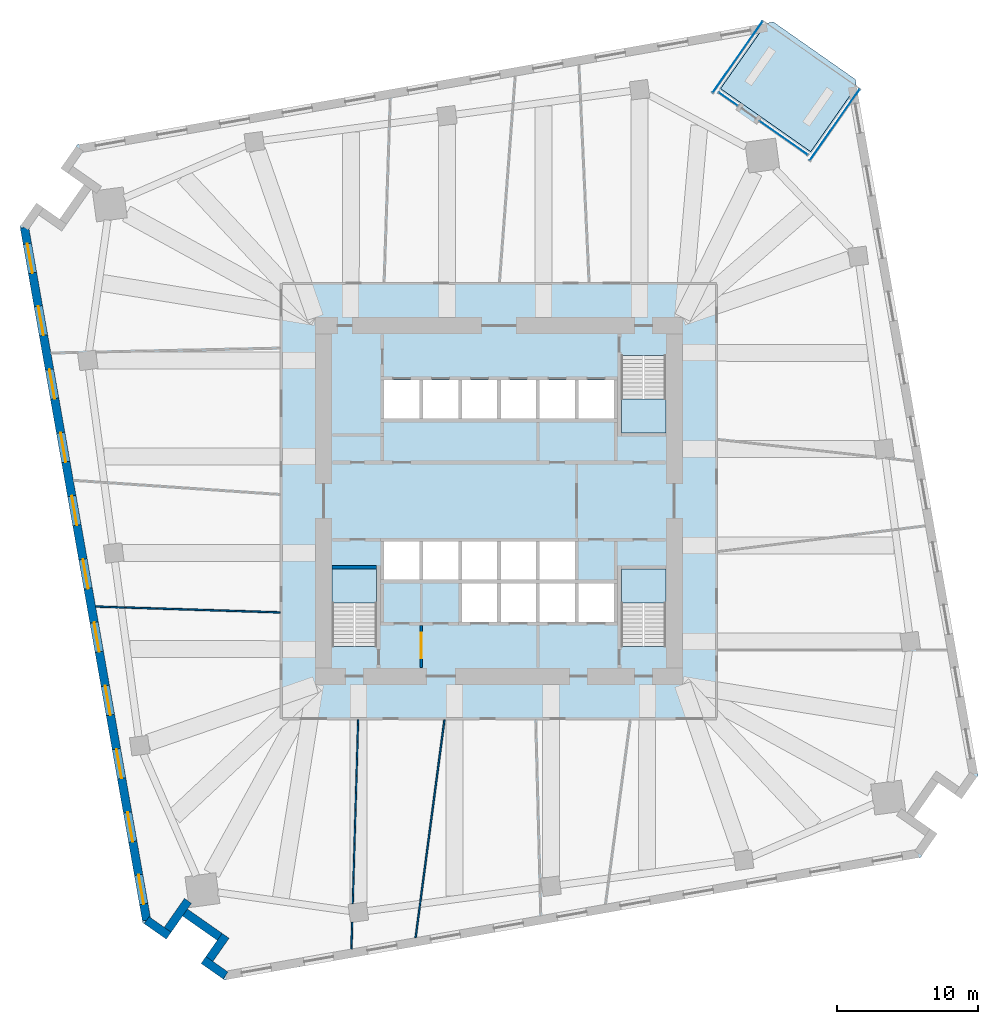
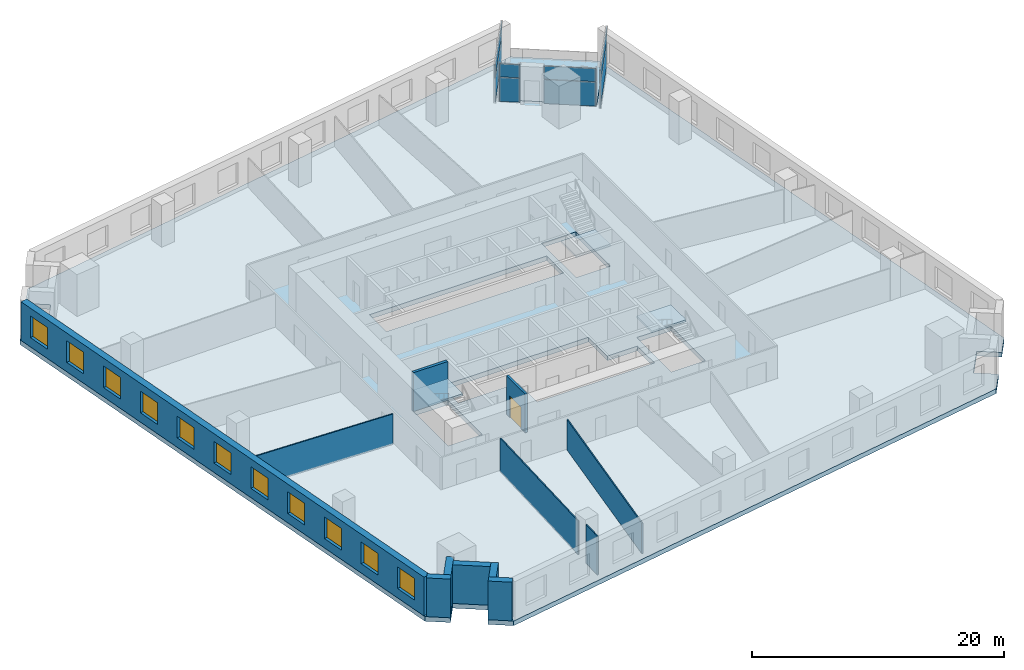
# One storey, part 3 of 10: 12 walls, 11 windows, 8 plates, 5 slabs, 1 door, 12 openings, 7 elements without a shape of their own.
"""IFC4 building model written with IfcOpenShell, lengths in metres."""

from ifc_helpers import new_model, si_unit, direction, frame, frame_2d, origin, origin_2d, place, context, subcontext, project, spatial, polyline, rectangle, outline, extrude, material, layer, layer_set, type_object, element, fill, aggregate, save


model = new_model("IFC4")

# Units and contexts
model_context = context("Model", 3, precision=1e-05, world=origin(), true_north=direction((0.0, 1.0)))
body_context = subcontext(model_context, "Body", "Model", "MODEL_VIEW")
ifc_project = project(units=[si_unit("LENGTHUNIT", "METRE"), si_unit("AREAUNIT", "SQUARE_METRE"), si_unit("VOLUMEUNIT", "CUBIC_METRE"), si_unit("PLANEANGLEUNIT", "RADIAN"), si_unit("MASSUNIT", "GRAM", prefix="KILO")], contexts=[model_context])

# Site, building, storey
site_placement = place(None, origin())
site = spatial("IfcSite", under=ifc_project, at=site_placement, CompositionType="ELEMENT")
building_placement = place(site_placement, origin())
building = spatial("IfcBuilding", under=site, at=building_placement, Name="Dilmun Exchange Tower", CompositionType="ELEMENT")
storey_placement = place(building_placement, frame((0.0, 0.0, 59.699951171875)))
storey = spatial("IfcBuildingStorey", under=building, at=storey_placement, Name="L13", CompositionType="ELEMENT", Elevation=59.699951171875)

# Stair, slab
ifc_material_1 = material(Name="Concrete C40/50", Category="concrete")
stair_type = type_object("IfcStairType", Name="Exit stair 1500 half-turn", PredefinedType="HALF_TURN_STAIR", material=ifc_material_1)
stair_1_placement = place(storey_placement, origin())
stair_1 = element("IfcStair", 1, at=stair_1_placement, inside=storey, type_object=stair_type, Name="L13 Protected exit stair ST1", PredefinedType="HALF_TURN_STAIR")
ifc_layer_1 = layer(ifc_material_1, 0.199951171875)
ifc_layer_set_1 = layer_set([ifc_layer_1], Name="Concrete C40/50")
slab_type_1 = type_object("IfcSlabType", Name="Exit stair landing 200", PredefinedType="LANDING", material=ifc_layer_set_1)
slab_1_placement = place(storey_placement, frame((0.0, 0.0, 1.900146484375)))
slab_1 = element("IfcSlab", 2, at=slab_1_placement, type_object=slab_type_1, Name="ST1 landing 1", PredefinedType="LANDING", context=body_context, shape_type="SweptSolid", body=[
    extrude(outline(polyline([(8.64990234375, 7.219970703125), (8.64990234375, 4.800048828125), (11.800048828125, 4.800048828125), (11.800048828125, 7.219970703125), (8.64990234375, 7.219970703125)])), origin(), (0.0, 0.0, 1.0), 0.199951171875),
])
aggregate(stair_1, [slab_1])

stair_2_placement = place(storey_placement, origin())
stair_2 = element("IfcStair", 3, at=stair_2_placement, inside=storey, type_object=stair_type, Name="L13 Protected exit stair ST2", PredefinedType="HALF_TURN_STAIR")
slab_2_placement = place(storey_placement, frame((0.0, 0.0, 1.900146484375)))
slab_2 = element("IfcSlab", 4, at=slab_2_placement, type_object=slab_type_1, Name="ST2 landing 1", PredefinedType="LANDING", context=body_context, shape_type="SweptSolid", body=[
    extrude(outline(polyline([(-8.64990234375, -7.219970703125), (-8.64990234375, -4.800048828125), (-11.800048828125, -4.800048828125), (-11.800048828125, -7.219970703125), (-8.64990234375, -7.219970703125)])), origin(), (0.0, 0.0, 1.0), 0.199951171875),
])
aggregate(stair_2, [slab_2])

stair_3_placement = place(storey_placement, origin())
stair_3 = element("IfcStair", 5, at=stair_3_placement, inside=storey, type_object=stair_type, Name="L13 Protected exit stair ST3", PredefinedType="HALF_TURN_STAIR")
slab_3_placement = place(storey_placement, frame((0.0, 0.0, 1.900146484375)))
slab_3 = element("IfcSlab", 6, at=slab_3_placement, type_object=slab_type_1, Name="ST3 landing 1", PredefinedType="LANDING", context=body_context, shape_type="SweptSolid", body=[
    extrude(outline(polyline([(11.800048828125, -7.219970703125), (11.800048828125, -4.800048828125), (8.64990234375, -4.800048828125), (8.64990234375, -7.219970703125), (11.800048828125, -7.219970703125)])), origin(), (0.0, 0.0, 1.0), 0.199951171875),
])
aggregate(stair_3, [slab_3])

# Curtain wall, plates
ifc_material_2 = material(Name="Anodised aluminium and clear glass", Category="aluminium")
curtain_wall_type = type_object("IfcCurtainWallType", Name="Garden corner glazing", PredefinedType="NOTDEFINED", material=ifc_material_2)
curtain_wall_1_placement = place(storey_placement, origin())
curtain_wall_1 = element("IfcCurtainWall", 7, at=curtain_wall_1_placement, inside=storey, type_object=curtain_wall_type, Name="Garden corner glazing run GC1.1", PredefinedType="NOTDEFINED")
ifc_material_3 = material(Name="Clear glass", Category="glass")
ifc_layer_2 = layer(ifc_material_3, 0.028076171875)
ifc_layer_set_2 = layer_set([ifc_layer_2], Name="Clear glass")
plate_type = type_object("IfcPlateType", Name="Garden corner glazing glass panel 28", PredefinedType="CURTAIN_PANEL", material=ifc_layer_set_2)
plate_1_placement = place(storey_placement, frame((23.744140625, 26.606689453125, 0.06005859375), z_axis=(0.0, 0.0, 1.0), x_axis=(-0.573574080405, -0.819153693935, 0.0)))
plate_1 = element("IfcPlate", 8, at=plate_1_placement, type_object=plate_type, Name="GC1.1 panel 1.1", PredefinedType="CURTAIN_PANEL", context=body_context, shape_type="SweptSolid", body=[
    extrude(rectangle(XDim=6.12646484375, YDim=0.028076171875, at=origin_2d()), origin(), (0.0, 0.0, 1.0), 2.31005859375),
])
plate_2_placement = place(storey_placement, frame((23.744140625, 26.606689453125, 2.43017578125), z_axis=(0.0, 0.0, 1.0), x_axis=(-0.573574080405, -0.819153693935, 0.0)))
plate_2 = element("IfcPlate", 9, at=plate_2_placement, type_object=plate_type, Name="GC1.1 panel 1.2", PredefinedType="CURTAIN_PANEL", context=body_context, shape_type="SweptSolid", body=[
    extrude(rectangle(XDim=6.12646484375, YDim=0.028076171875, at=origin_2d()), origin(), (0.0, 0.0, 1.0), 1.260009765625),
])
aggregate(curtain_wall_1, [plate_1, plate_2])

curtain_wall_2_placement = place(storey_placement, origin())
curtain_wall_2 = element("IfcCurtainWall", 10, at=curtain_wall_2_placement, inside=storey, type_object=curtain_wall_type, Name="Garden corner glazing run GC2.1", PredefinedType="NOTDEFINED")
plate_3_placement = place(storey_placement, frame((20.142822265625, 25.681884765625, 0.06005859375), z_axis=(0.0, 0.0, 1.0), x_axis=(-0.819152116967, 0.573576332556, 0.0)))
plate_3 = element("IfcPlate", 11, at=plate_3_placement, type_object=plate_type, Name="GC2.1 panel 1.1", PredefinedType="CURTAIN_PANEL", context=body_context, shape_type="SweptSolid", body=[
    extrude(rectangle(XDim=4.118896484375, YDim=0.028076171875, at=origin_2d()), origin(), (0.0, 0.0, 1.0), 2.31005859375),
])
plate_4_placement = place(storey_placement, frame((20.142822265625, 25.681884765625, 2.43017578125), z_axis=(0.0, 0.0, 1.0), x_axis=(-0.819152116967, 0.573576332556, 0.0)))
plate_4 = element("IfcPlate", 12, at=plate_4_placement, type_object=plate_type, Name="GC2.1 panel 1.2", PredefinedType="CURTAIN_PANEL", context=body_context, shape_type="SweptSolid", body=[
    extrude(rectangle(XDim=4.118896484375, YDim=0.028076171875, at=origin_2d()), origin(), (0.0, 0.0, 1.0), 1.260009765625),
])
aggregate(curtain_wall_2, [plate_3, plate_4])

curtain_wall_3_placement = place(storey_placement, origin())
curtain_wall_3 = element("IfcCurtainWall", 13, at=curtain_wall_3_placement, inside=storey, type_object=curtain_wall_type, Name="Garden corner glazing run GC2.3", PredefinedType="NOTDEFINED")
plate_5_placement = place(storey_placement, frame((16.219970703125, 28.428955078125, 0.06005859375), z_axis=(0.0, 0.0, 1.0), x_axis=(-0.81915627477, 0.573570394551, 0.0)))
plate_5 = element("IfcPlate", 14, at=plate_5_placement, type_object=plate_type, Name="GC2.3 panel 1.1", PredefinedType="CURTAIN_PANEL", context=body_context, shape_type="SweptSolid", body=[
    extrude(rectangle(XDim=1.619140625, YDim=0.028076171875, at=origin_2d()), origin(), (0.0, 0.0, 1.0), 2.31005859375),
])
plate_6_placement = place(storey_placement, frame((16.219970703125, 28.428955078125, 2.43017578125), z_axis=(0.0, 0.0, 1.0), x_axis=(-0.81915627477, 0.573570394551, 0.0)))
plate_6 = element("IfcPlate", 15, at=plate_6_placement, type_object=plate_type, Name="GC2.3 panel 1.2", PredefinedType="CURTAIN_PANEL", context=body_context, shape_type="SweptSolid", body=[
    extrude(rectangle(XDim=1.619140625, YDim=0.028076171875, at=origin_2d()), origin(), (0.0, 0.0, 1.0), 1.260009765625),
])
aggregate(curtain_wall_3, [plate_5, plate_6])

curtain_wall_4_placement = place(storey_placement, origin())
curtain_wall_4 = element("IfcCurtainWall", 16, at=curtain_wall_4_placement, inside=storey, type_object=curtain_wall_type, Name="Garden corner glazing run GC3.1", PredefinedType="NOTDEFINED")
plate_7_placement = place(storey_placement, frame((16.881103515625, 31.412353515625, 0.06005859375), z_axis=(0.0, 0.0, 1.0), x_axis=(0.573574080405, 0.819153693935, 0.0)))
plate_7 = element("IfcPlate", 17, at=plate_7_placement, type_object=plate_type, Name="GC3.1 panel 1.1", PredefinedType="CURTAIN_PANEL", context=body_context, shape_type="SweptSolid", body=[
    extrude(rectangle(XDim=6.12646484375, YDim=0.028076171875, at=origin_2d()), origin(), (0.0, 0.0, 1.0), 2.31005859375),
])
plate_8_placement = place(storey_placement, frame((16.881103515625, 31.412353515625, 2.43017578125), z_axis=(0.0, 0.0, 1.0), x_axis=(0.573574080405, 0.819153693935, 0.0)))
plate_8 = element("IfcPlate", 18, at=plate_8_placement, type_object=plate_type, Name="GC3.1 panel 1.2", PredefinedType="CURTAIN_PANEL", context=body_context, shape_type="SweptSolid", body=[
    extrude(rectangle(XDim=6.12646484375, YDim=0.028076171875, at=origin_2d()), origin(), (0.0, 0.0, 1.0), 1.260009765625),
])
aggregate(curtain_wall_4, [plate_7, plate_8])

# Slabs
ifc_layer_3 = layer(ifc_material_1, 0.449951171875)
ifc_layer_set_3 = layer_set([ifc_layer_3], Name="Concrete C40/50")
slab_type_2 = type_object("IfcSlabType", Name="RC floor slab 450", PredefinedType="FLOOR", material=ifc_layer_set_3)
slab_4_placement = place(storey_placement, frame((0.0, 0.0, -0.449951171875)))
element("IfcSlab", 19, at=slab_4_placement, inside=storey, type_object=slab_type_2, Name="Floor slab", PredefinedType="FLOOR", context=body_context, shape_type="SweptSolid", body=[
    extrude(outline(polyline([(32.718017578125, -21.078125), (31.07958984375, -19.930908203125), (29.35888671875, -22.388427734375), (30.997314453125, -23.53564453125), (29.82958984375, -25.202880859375), (-19.41064453125, -33.885498046875), (-21.078125, -32.718017578125), (-19.930908203125, -31.07958984375), (-22.388427734375, -29.35888671875), (-23.53564453125, -30.997314453125), (-25.202880859375, -29.82958984375), (-33.885498046875, 19.41064453125), (-32.718017578125, 21.078125), (-31.07958984375, 19.930908203125), (-29.35888671875, 22.388427734375), (-30.997314453125, 23.53564453125), (-29.82958984375, 25.202880859375), (18.918212890625, 33.798583984375), (15.6796875, 29.17333984375), (22.05126953125, 24.7119140625), (25.289794921875, 29.337158203125), (33.885498046875, -19.41064453125), (32.718017578125, -21.078125)]), holes=[polyline([(-8.64990234375, -4.800048828125), (-11.800048828125, -4.800048828125), (-11.800048828125, -10.294921875), (-8.64990234375, -10.294921875), (-8.64990234375, -4.800048828125)]), polyline([(11.800048828125, -4.800048828125), (8.64990234375, -4.800048828125), (8.64990234375, -10.294921875), (11.800048828125, -10.294921875), (11.800048828125, -4.800048828125)]), polyline([(-8.125, -2.85009765625), (-8.125, -5.550048828125), (-2.625, -5.550048828125), (-2.625, -8.550048828125), (8.125, -8.550048828125), (8.125, -5.85009765625), (5.375, -5.85009765625), (5.375, -2.85009765625), (-8.125, -2.85009765625)]), polyline([(-8.125, 5.85009765625), (8.125, 5.85009765625), (8.125, 8.550048828125), (-8.125, 8.550048828125), (-8.125, 5.85009765625)]), polyline([(8.64990234375, 10.294921875), (8.64990234375, 4.800048828125), (11.800048828125, 4.800048828125), (11.800048828125, 10.294921875), (8.64990234375, 10.294921875)])]), origin(), (0.0, 0.0, 1.0), 0.449951171875),
])
ifc_layer_4 = layer(ifc_material_1, 0.300048828125)
ifc_layer_set_4 = layer_set([ifc_layer_4], Name="Concrete C40/50")
slab_type_3 = type_object("IfcSlabType", Name="RC garden terrace slab 300", PredefinedType="FLOOR", material=ifc_layer_set_4)
slab_5_placement = place(storey_placement, frame((0.0, 0.0, -0.300048828125)))
element("IfcSlab", 20, at=slab_5_placement, inside=storey, type_object=slab_type_3, Name="Garden terrace slab", PredefinedType="FLOOR", context=body_context, shape_type="SweptSolid", body=[
    extrude(outline(polyline([(15.6796875, 29.17333984375), (18.918212890625, 33.798583984375), (19.41064453125, 33.885498046875), (25.202880859375, 29.82958984375), (25.289794921875, 29.337158203125), (22.05126953125, 24.7119140625), (15.6796875, 29.17333984375)])), origin(), (0.0, 0.0, 1.0), 0.300048828125),
])

# Wall, opening, door
ifc_layer_5 = layer(ifc_material_1, 0.199951171875)
ifc_layer_set_5 = layer_set([ifc_layer_5], Name="Concrete C40/50")
wall_type_1 = type_object("IfcWallType", Name="Core partition wall 200", PredefinedType="PARTITIONING", material=ifc_layer_set_5)
wall_1_placement = place(storey_placement, frame((-5.5, -11.794921875, 0.0), z_axis=(0.0, 0.0, 1.0), x_axis=(0.0, 1.0, 0.0)))
wall_1 = element("IfcWall", 21, at=wall_1_placement, inside=storey, type_object=wall_type_1, Name="L13 core partition wall 01", PredefinedType="PARTITIONING", context=body_context, shape_type="SweptSolid", body=[
    extrude(rectangle(XDim=2.989990234375, YDim=0.199951171875, at=frame_2d((1.4951171875, 0.0))), origin(), (0.0, 0.0, 1.0), 3.75),
])
opening_1_placement = place(wall_1_placement, frame((0.657470703125, 0.0, 0.0)))
opening_1 = element("IfcOpeningElement", 22, at=opening_1_placement, cuts=wall_1, Name="Opening CD5", PredefinedType="OPENING", context=body_context, shape_type="SweptSolid", body=[
    extrude(rectangle(XDim=1.800048828125, YDim=2.10009765625, at=frame_2d((0.89990234375, 1.050048828125))), frame((0.0, 0.10986328125, 0.0), z_axis=(0.0, -1.0, 0.0), x_axis=(1.0, 0.0, 0.0)), (0.0, 0.0, 1.0), 0.219970703125),
])
ifc_material_4 = material(Name="Fire-rated steel door set", Category="steel")
door_type = type_object("IfcDoorType", Name="Stair exit door 1800x2100", OperationType="SINGLE_SWING_LEFT", PredefinedType="DOOR", material=ifc_material_4)
door_placement = place(opening_1_placement, origin())
door = element("IfcDoor", 23, at=door_placement, inside=storey, type_object=door_type, Name="L13 door Service lobby east", OperationType="SINGLE_SWING_LEFT", OverallHeight=2.10009765625, OverallWidth=1.800048828125, PredefinedType="DOOR", context=body_context, shape_type="SweptSolid", body=[
    extrude(rectangle(XDim=1.800048828125, YDim=2.10009765625, at=frame_2d((0.89990234375, 1.050048828125))), frame((0.0, 0.02490234375, 0.0), z_axis=(0.0, -1.0, 0.0), x_axis=(1.0, 0.0, 0.0)), (0.0, 0.0, 1.0), 0.050048828125),
])
fill(opening_1, door)

# Walls
ifc_material_5 = material(Name="Partition 100")
ifc_layer_6 = layer(ifc_material_5, 0.10009765625)
ifc_layer_set_6 = layer_set([ifc_layer_6], Name="Partition 100")
wall_type_2 = type_object("IfcWallType", Name="Partition 100", PredefinedType="PARTITIONING", material=ifc_layer_set_6)
wall_2_placement = place(storey_placement, frame((-28.534912109375, -7.466552734375, 0.0), z_axis=(0.0, 0.0, 1.0), x_axis=(0.999495289336, -0.031767382577, 0.0)))
element("IfcWall", 24, at=wall_2_placement, inside=storey, type_object=wall_type_2, Name="Partition", PredefinedType="PARTITIONING", context=body_context, shape_type="SweptSolid", body=[
    extrude(rectangle(XDim=13.06494140625, YDim=0.10009765625, at=frame_2d((6.532470703125, 0.0))), origin(), (0.0, 0.0, 1.0), 2.949951171875),
])
wall_3_placement = place(storey_placement, frame((-10.43994140625, -31.6923828125, 0.0), z_axis=(0.0, 0.0, 1.0), x_axis=(0.02927344119, 0.999571440989, 0.0)))
element("IfcWall", 25, at=wall_3_placement, inside=storey, type_object=wall_type_2, Name="Partition", PredefinedType="PARTITIONING", context=body_context, shape_type="SweptSolid", body=[
    extrude(rectangle(XDim=1.884765625, YDim=0.10009765625, at=frame_2d((0.9423828125, 0.0))), origin(), (0.0, 0.0, 1.0), 3.75),
])
wall_4_placement = place(storey_placement, frame((-10.34619140625, -28.4912109375, 0.0), z_axis=(0.0, 0.0, 1.0), x_axis=(0.029345051756, 0.999569341235, 0.0)))
element("IfcWall", 26, at=wall_4_placement, inside=storey, type_object=wall_type_2, Name="Partition", PredefinedType="PARTITIONING", context=body_context, shape_type="SweptSolid", body=[
    extrude(rectangle(XDim=13.020263671875, YDim=0.10009765625, at=frame_2d((6.51025390625, 0.0))), origin(), (0.0, 0.0, 1.0), 3.25),
])
wall_5_placement = place(storey_placement, frame((-5.899169921875, -30.8916015625, 0.0), z_axis=(0.0, 0.0, 1.0), x_axis=(0.131193510247, 0.991356778798, 0.0)))
element("IfcWall", 27, at=wall_5_placement, inside=storey, type_object=wall_type_2, Name="Partition", PredefinedType="PARTITIONING", context=body_context, shape_type="SweptSolid", body=[
    extrude(rectangle(XDim=15.544189453125, YDim=0.10009765625, at=frame_2d((7.77197265625, 0.0))), origin(), (0.0, 0.0, 1.0), 2.949951171875),
])

# Wall, openings, windows
ifc_material_6 = material(Name="Precast concrete C50/60", Category="concrete")
ifc_layer_7 = layer(ifc_material_6, 0.60009765625)
ifc_layer_set_7 = layer_set([ifc_layer_7], Name="Precast concrete C50/60")
wall_type_3 = type_object("IfcWallType", Name="Precast stone-clad wall 600", PredefinedType="STANDARD", material=ifc_layer_set_7)
wall_6_placement = place(storey_placement, frame((-33.568359375, 19.340576171875, 0.0), z_axis=(0.0, 0.0, 1.0), x_axis=(0.173645642064, -0.984808200104, 0.0)))
wall_6 = element("IfcWall", 28, at=wall_6_placement, inside=storey, type_object=wall_type_3, Name="Facade wall L13-09", PredefinedType="STANDARD", context=body_context, shape_type="SweptSolid", body=[
    extrude(rectangle(XDim=49.751708984375, YDim=0.60009765625, at=frame_2d((24.8759765625, 0.0))), origin(), (0.0, 0.0, 1.0), 3.75),
])
opening_2_placement = place(wall_6_placement, frame((1.16064453125, 0.0, 0.89990234375)))
opening_2 = element("IfcOpeningElement", 29, at=opening_2_placement, cuts=wall_6, Name="Opening W210-210", PredefinedType="OPENING", context=body_context, shape_type="SweptSolid", body=[
    extrude(rectangle(XDim=2.10009765625, YDim=2.10009765625, at=frame_2d((1.050048828125, 1.050048828125))), frame((0.0, 0.31005859375, 0.0), z_axis=(0.0, -1.0, 0.0), x_axis=(1.0, 0.0, 0.0)), (0.0, 0.0, 1.0), 0.6201171875),
])
opening_3_placement = place(wall_6_placement, frame((5.643798828125, 0.0, 0.89990234375)))
opening_3 = element("IfcOpeningElement", 30, at=opening_3_placement, cuts=wall_6, Name="Opening W210-210", PredefinedType="OPENING", context=body_context, shape_type="SweptSolid", body=[
    extrude(rectangle(XDim=2.10009765625, YDim=2.10009765625, at=frame_2d((1.050048828125, 1.050048828125))), frame((0.0, 0.31005859375, 0.0), z_axis=(0.0, -1.0, 0.0), x_axis=(1.0, 0.0, 0.0)), (0.0, 0.0, 1.0), 0.6201171875),
])
opening_4_placement = place(wall_6_placement, frame((10.189453125, 0.0, 0.89990234375)))
opening_4 = element("IfcOpeningElement", 31, at=opening_4_placement, cuts=wall_6, Name="Opening W210-210", PredefinedType="OPENING", context=body_context, shape_type="SweptSolid", body=[
    extrude(rectangle(XDim=2.10009765625, YDim=2.10009765625, at=frame_2d((1.050048828125, 1.050048828125))), frame((0.0, 0.31005859375, 0.0), z_axis=(0.0, -1.0, 0.0), x_axis=(1.0, 0.0, 0.0)), (0.0, 0.0, 1.0), 0.6201171875),
])
opening_5_placement = place(wall_6_placement, frame((14.73486328125, 0.0, 0.89990234375)))
opening_5 = element("IfcOpeningElement", 32, at=opening_5_placement, cuts=wall_6, Name="Opening W210-210", PredefinedType="OPENING", context=body_context, shape_type="SweptSolid", body=[
    extrude(rectangle(XDim=2.10009765625, YDim=2.10009765625, at=frame_2d((1.050048828125, 1.050048828125))), frame((0.0, 0.31005859375, 0.0), z_axis=(0.0, -1.0, 0.0), x_axis=(1.0, 0.0, 0.0)), (0.0, 0.0, 1.0), 0.6201171875),
])
opening_6_placement = place(wall_6_placement, frame((19.2802734375, 0.0, 0.89990234375)))
opening_6 = element("IfcOpeningElement", 33, at=opening_6_placement, cuts=wall_6, Name="Opening W210-210", PredefinedType="OPENING", context=body_context, shape_type="SweptSolid", body=[
    extrude(rectangle(XDim=2.10009765625, YDim=2.10009765625, at=frame_2d((1.050048828125, 1.050048828125))), frame((0.0, 0.31005859375, 0.0), z_axis=(0.0, -1.0, 0.0), x_axis=(1.0, 0.0, 0.0)), (0.0, 0.0, 1.0), 0.6201171875),
])
opening_7_placement = place(wall_6_placement, frame((23.82568359375, 0.0, 0.89990234375)))
opening_7 = element("IfcOpeningElement", 34, at=opening_7_placement, cuts=wall_6, Name="Opening W210-210", PredefinedType="OPENING", context=body_context, shape_type="SweptSolid", body=[
    extrude(rectangle(XDim=2.10009765625, YDim=2.10009765625, at=frame_2d((1.050048828125, 1.050048828125))), frame((0.0, 0.31005859375, 0.0), z_axis=(0.0, -1.0, 0.0), x_axis=(1.0, 0.0, 0.0)), (0.0, 0.0, 1.0), 0.6201171875),
])
opening_8_placement = place(wall_6_placement, frame((28.37109375, 0.0, 0.89990234375)))
opening_8 = element("IfcOpeningElement", 35, at=opening_8_placement, cuts=wall_6, Name="Opening W210-210", PredefinedType="OPENING", context=body_context, shape_type="SweptSolid", body=[
    extrude(rectangle(XDim=2.10009765625, YDim=2.10009765625, at=frame_2d((1.050048828125, 1.050048828125))), frame((0.0, 0.31005859375, 0.0), z_axis=(0.0, -1.0, 0.0), x_axis=(1.0, 0.0, 0.0)), (0.0, 0.0, 1.0), 0.6201171875),
])
opening_9_placement = place(wall_6_placement, frame((32.91650390625, 0.0, 0.89990234375)))
opening_9 = element("IfcOpeningElement", 36, at=opening_9_placement, cuts=wall_6, Name="Opening W210-210", PredefinedType="OPENING", context=body_context, shape_type="SweptSolid", body=[
    extrude(rectangle(XDim=2.10009765625, YDim=2.10009765625, at=frame_2d((1.050048828125, 1.050048828125))), frame((0.0, 0.31005859375, 0.0), z_axis=(0.0, -1.0, 0.0), x_axis=(1.0, 0.0, 0.0)), (0.0, 0.0, 1.0), 0.6201171875),
])
opening_10_placement = place(wall_6_placement, frame((37.462158203125, 0.0, 0.89990234375)))
opening_10 = element("IfcOpeningElement", 37, at=opening_10_placement, cuts=wall_6, Name="Opening W210-210", PredefinedType="OPENING", context=body_context, shape_type="SweptSolid", body=[
    extrude(rectangle(XDim=2.10009765625, YDim=2.10009765625, at=frame_2d((1.050048828125, 1.050048828125))), frame((0.0, 0.31005859375, 0.0), z_axis=(0.0, -1.0, 0.0), x_axis=(1.0, 0.0, 0.0)), (0.0, 0.0, 1.0), 0.6201171875),
])
opening_11_placement = place(wall_6_placement, frame((42.007568359375, 0.0, 0.89990234375)))
opening_11 = element("IfcOpeningElement", 38, at=opening_11_placement, cuts=wall_6, Name="Opening W210-210", PredefinedType="OPENING", context=body_context, shape_type="SweptSolid", body=[
    extrude(rectangle(XDim=2.10009765625, YDim=2.10009765625, at=frame_2d((1.050048828125, 1.050048828125))), frame((0.0, 0.31005859375, 0.0), z_axis=(0.0, -1.0, 0.0), x_axis=(1.0, 0.0, 0.0)), (0.0, 0.0, 1.0), 0.6201171875),
])
opening_12_placement = place(wall_6_placement, frame((46.490966796875, 0.0, 0.89990234375)))
opening_12 = element("IfcOpeningElement", 39, at=opening_12_placement, cuts=wall_6, Name="Opening W210-210", PredefinedType="OPENING", context=body_context, shape_type="SweptSolid", body=[
    extrude(rectangle(XDim=2.10009765625, YDim=2.10009765625, at=frame_2d((1.050048828125, 1.050048828125))), frame((0.0, 0.31005859375, 0.0), z_axis=(0.0, -1.0, 0.0), x_axis=(1.0, 0.0, 0.0)), (0.0, 0.0, 1.0), 0.6201171875),
])
ifc_material_7 = material(Name="Clear low-emissivity glass in aluminium frame", Category="aluminium")
window_type = type_object("IfcWindowType", Name="Punched window 2100 x 2100", PartitioningType="DOUBLE_PANEL_VERTICAL", PredefinedType="WINDOW", material=ifc_material_7)
window_1_placement = place(opening_2_placement, origin())
window_1 = element("IfcWindow", 40, at=window_1_placement, inside=storey, type_object=window_type, Name="Window 10.1", OverallHeight=2.10009765625, OverallWidth=2.10009765625, PartitioningType="SINGLE_PANEL", PredefinedType="WINDOW", context=body_context, shape_type="SweptSolid", body=[
    extrude(rectangle(XDim=2.10009765625, YDim=2.10009765625, at=frame_2d((1.050048828125, 1.050048828125))), frame((0.0, 0.030029296875, 0.0), z_axis=(0.0, -1.0, 0.0), x_axis=(1.0, 0.0, 0.0)), (0.0, 0.0, 1.0), 0.06005859375),
])
fill(opening_2, window_1)
window_2_placement = place(opening_3_placement, origin())
window_2 = element("IfcWindow", 41, at=window_2_placement, inside=storey, type_object=window_type, Name="Window 10.2", OverallHeight=2.10009765625, OverallWidth=2.10009765625, PartitioningType="SINGLE_PANEL", PredefinedType="WINDOW", context=body_context, shape_type="SweptSolid", body=[
    extrude(rectangle(XDim=2.10009765625, YDim=2.10009765625, at=frame_2d((1.050048828125, 1.050048828125))), frame((0.0, 0.030029296875, 0.0), z_axis=(0.0, -1.0, 0.0), x_axis=(1.0, 0.0, 0.0)), (0.0, 0.0, 1.0), 0.06005859375),
])
fill(opening_3, window_2)
window_3_placement = place(opening_4_placement, origin())
window_3 = element("IfcWindow", 42, at=window_3_placement, inside=storey, type_object=window_type, Name="Window 10.3", OverallHeight=2.10009765625, OverallWidth=2.10009765625, PartitioningType="SINGLE_PANEL", PredefinedType="WINDOW", context=body_context, shape_type="SweptSolid", body=[
    extrude(rectangle(XDim=2.10009765625, YDim=2.10009765625, at=frame_2d((1.050048828125, 1.050048828125))), frame((0.0, 0.030029296875, 0.0), z_axis=(0.0, -1.0, 0.0), x_axis=(1.0, 0.0, 0.0)), (0.0, 0.0, 1.0), 0.06005859375),
])
fill(opening_4, window_3)
window_4_placement = place(opening_5_placement, origin())
window_4 = element("IfcWindow", 43, at=window_4_placement, inside=storey, type_object=window_type, Name="Window 10.4", OverallHeight=2.10009765625, OverallWidth=2.10009765625, PartitioningType="SINGLE_PANEL", PredefinedType="WINDOW", context=body_context, shape_type="SweptSolid", body=[
    extrude(rectangle(XDim=2.10009765625, YDim=2.10009765625, at=frame_2d((1.050048828125, 1.050048828125))), frame((0.0, 0.030029296875, 0.0), z_axis=(0.0, -1.0, 0.0), x_axis=(1.0, 0.0, 0.0)), (0.0, 0.0, 1.0), 0.06005859375),
])
fill(opening_5, window_4)
window_5_placement = place(opening_6_placement, origin())
window_5 = element("IfcWindow", 44, at=window_5_placement, inside=storey, type_object=window_type, Name="Window 10.5", OverallHeight=2.10009765625, OverallWidth=2.10009765625, PartitioningType="SINGLE_PANEL", PredefinedType="WINDOW", context=body_context, shape_type="SweptSolid", body=[
    extrude(rectangle(XDim=2.10009765625, YDim=2.10009765625, at=frame_2d((1.050048828125, 1.050048828125))), frame((0.0, 0.030029296875, 0.0), z_axis=(0.0, -1.0, 0.0), x_axis=(1.0, 0.0, 0.0)), (0.0, 0.0, 1.0), 0.06005859375),
])
fill(opening_6, window_5)
window_6_placement = place(opening_7_placement, origin())
window_6 = element("IfcWindow", 45, at=window_6_placement, inside=storey, type_object=window_type, Name="Window 10.6", OverallHeight=2.10009765625, OverallWidth=2.10009765625, PartitioningType="SINGLE_PANEL", PredefinedType="WINDOW", context=body_context, shape_type="SweptSolid", body=[
    extrude(rectangle(XDim=2.10009765625, YDim=2.10009765625, at=frame_2d((1.050048828125, 1.050048828125))), frame((0.0, 0.030029296875, 0.0), z_axis=(0.0, -1.0, 0.0), x_axis=(1.0, 0.0, 0.0)), (0.0, 0.0, 1.0), 0.06005859375),
])
fill(opening_7, window_6)
window_7_placement = place(opening_8_placement, origin())
window_7 = element("IfcWindow", 46, at=window_7_placement, inside=storey, type_object=window_type, Name="Window 10.7", OverallHeight=2.10009765625, OverallWidth=2.10009765625, PartitioningType="SINGLE_PANEL", PredefinedType="WINDOW", context=body_context, shape_type="SweptSolid", body=[
    extrude(rectangle(XDim=2.10009765625, YDim=2.10009765625, at=frame_2d((1.050048828125, 1.050048828125))), frame((0.0, 0.030029296875, 0.0), z_axis=(0.0, -1.0, 0.0), x_axis=(1.0, 0.0, 0.0)), (0.0, 0.0, 1.0), 0.06005859375),
])
fill(opening_8, window_7)
window_8_placement = place(opening_9_placement, origin())
window_8 = element("IfcWindow", 47, at=window_8_placement, inside=storey, type_object=window_type, Name="Window 10.8", OverallHeight=2.10009765625, OverallWidth=2.10009765625, PartitioningType="SINGLE_PANEL", PredefinedType="WINDOW", context=body_context, shape_type="SweptSolid", body=[
    extrude(rectangle(XDim=2.10009765625, YDim=2.10009765625, at=frame_2d((1.050048828125, 1.050048828125))), frame((0.0, 0.030029296875, 0.0), z_axis=(0.0, -1.0, 0.0), x_axis=(1.0, 0.0, 0.0)), (0.0, 0.0, 1.0), 0.06005859375),
])
fill(opening_9, window_8)
window_9_placement = place(opening_10_placement, origin())
window_9 = element("IfcWindow", 48, at=window_9_placement, inside=storey, type_object=window_type, Name="Window 10.9", OverallHeight=2.10009765625, OverallWidth=2.10009765625, PartitioningType="SINGLE_PANEL", PredefinedType="WINDOW", context=body_context, shape_type="SweptSolid", body=[
    extrude(rectangle(XDim=2.10009765625, YDim=2.10009765625, at=frame_2d((1.050048828125, 1.050048828125))), frame((0.0, 0.030029296875, 0.0), z_axis=(0.0, -1.0, 0.0), x_axis=(1.0, 0.0, 0.0)), (0.0, 0.0, 1.0), 0.06005859375),
])
fill(opening_10, window_9)
window_10_placement = place(opening_11_placement, origin())
window_10 = element("IfcWindow", 49, at=window_10_placement, inside=storey, type_object=window_type, Name="Window 10.10", OverallHeight=2.10009765625, OverallWidth=2.10009765625, PartitioningType="SINGLE_PANEL", PredefinedType="WINDOW", context=body_context, shape_type="SweptSolid", body=[
    extrude(rectangle(XDim=2.10009765625, YDim=2.10009765625, at=frame_2d((1.050048828125, 1.050048828125))), frame((0.0, 0.030029296875, 0.0), z_axis=(0.0, -1.0, 0.0), x_axis=(1.0, 0.0, 0.0)), (0.0, 0.0, 1.0), 0.06005859375),
])
fill(opening_11, window_10)
window_11_placement = place(opening_12_placement, origin())
window_11 = element("IfcWindow", 50, at=window_11_placement, inside=storey, type_object=window_type, Name="Window 10.11", OverallHeight=2.10009765625, OverallWidth=2.10009765625, PartitioningType="SINGLE_PANEL", PredefinedType="WINDOW", context=body_context, shape_type="SweptSolid", body=[
    extrude(rectangle(XDim=2.10009765625, YDim=2.10009765625, at=frame_2d((1.050048828125, 1.050048828125))), frame((0.0, 0.030029296875, 0.0), z_axis=(0.0, -1.0, 0.0), x_axis=(1.0, 0.0, 0.0)), (0.0, 0.0, 1.0), 0.06005859375),
])
fill(opening_12, window_11)

# Walls
wall_7_placement = place(storey_placement, frame((-24.92919921875, -29.6552734375, 0.0), z_axis=(0.0, 0.0, 1.0), x_axis=(0.819177907247, -0.573539498447, 0.0)))
element("IfcWall", 51, at=wall_7_placement, inside=storey, type_object=wall_type_3, Name="Facade wall L13-10", PredefinedType="STANDARD", context=body_context, shape_type="SweptSolid", body=[
    extrude(rectangle(XDim=1.911376953125, YDim=0.60009765625, at=frame_2d((0.95556640625, 0.0))), origin(), (0.0, 0.0, 1.0), 3.75),
])
wall_8_placement = place(storey_placement, frame((-23.437255859375, -30.33349609375, 0.0), z_axis=(0.0, 0.0, 1.0), x_axis=(0.573586940727, 0.819144688946, 0.0)))
element("IfcWall", 52, at=wall_8_placement, inside=storey, type_object=wall_type_3, Name="Facade wall L13-11", PredefinedType="STANDARD", context=body_context, shape_type="SweptSolid", body=[
    extrude(rectangle(XDim=2.49853515625, YDim=0.60009765625, at=frame_2d((1.249267578125, 0.0))), origin(), (0.0, 0.0, 1.0), 3.75),
])
wall_9_placement = place(storey_placement, frame((-22.21630859375, -29.113037109375, 0.0), z_axis=(0.0, 0.0, 1.0), x_axis=(0.819124862085, -0.573615254604, 0.0)))
element("IfcWall", 53, at=wall_9_placement, inside=storey, type_object=wall_type_3, Name="Facade wall L13-12", PredefinedType="STANDARD", context=body_context, shape_type="SweptSolid", body=[
    extrude(rectangle(XDim=3.000244140625, YDim=0.60009765625, at=frame_2d((1.5, 0.0))), origin(), (0.0, 0.0, 1.0), 3.75),
])
wall_10_placement = place(storey_placement, frame((-19.341064453125, -30.76025390625, 0.0), z_axis=(0.0, 0.0, 1.0), x_axis=(-0.573626190743, -0.819117203636, 0.0)))
element("IfcWall", 54, at=wall_10_placement, inside=storey, type_object=wall_type_3, Name="Facade wall L13-13", PredefinedType="STANDARD", context=body_context, shape_type="SweptSolid", body=[
    extrude(rectangle(XDim=2.0, YDim=0.60009765625, at=frame_2d((1.0, 0.0))), origin(), (0.0, 0.0, 1.0), 3.75),
])
wall_11_placement = place(storey_placement, frame((-20.906005859375, -32.47216796875, 0.0), z_axis=(0.0, 0.0, 1.0), x_axis=(0.81913588185, -0.573599518014, 0.0)))
element("IfcWall", 55, at=wall_11_placement, inside=storey, type_object=wall_type_3, Name="Facade wall L13-14", PredefinedType="STANDARD", context=body_context, shape_type="SweptSolid", body=[
    extrude(rectangle(XDim=1.9111328125, YDim=0.60009765625, at=frame_2d((0.95556640625, 0.0))), origin(), (0.0, 0.0, 1.0), 3.75),
])
ifc_layer_8 = layer(ifc_material_1, 0.25)
ifc_layer_set_8 = layer_set([ifc_layer_8], Name="Concrete C40/50")
wall_type_4 = type_object("IfcWallType", Name="Stair end wall 250", PredefinedType="SOLIDWALL", material=ifc_layer_set_8)
wall_12_placement = place(storey_placement, frame((-8.64990234375, -4.675048828125, 0.0), z_axis=(0.0, 0.0, 1.0), x_axis=(-1.0, 0.0, 0.0)))
element("IfcWall", 56, at=wall_12_placement, inside=storey, type_object=wall_type_4, Name="L13 ST2 far wall", PredefinedType="SOLIDWALL", context=body_context, shape_type="SweptSolid", body=[
    extrude(rectangle(XDim=3.150146484375, YDim=0.25, at=frame_2d((1.5751953125, 0.0))), origin(), (0.0, 0.0, 1.0), 3.75),
])

save(model, "model.ifc")
